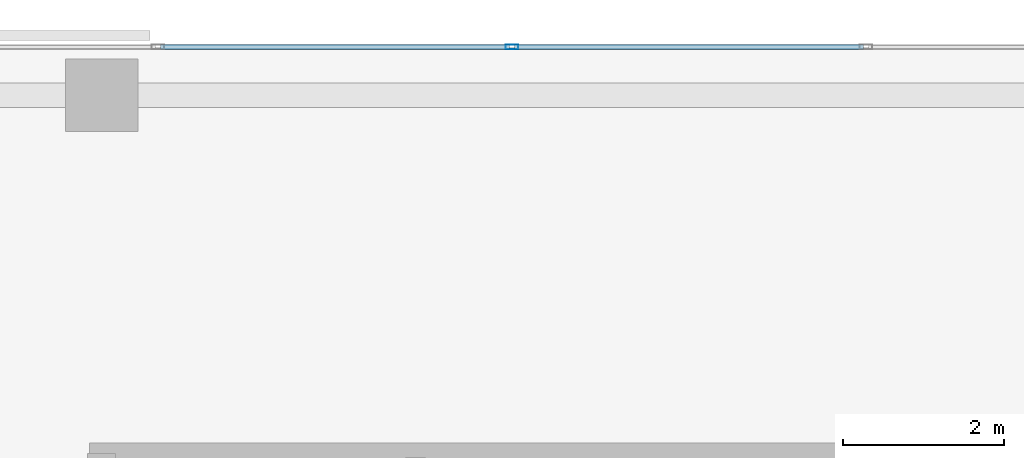
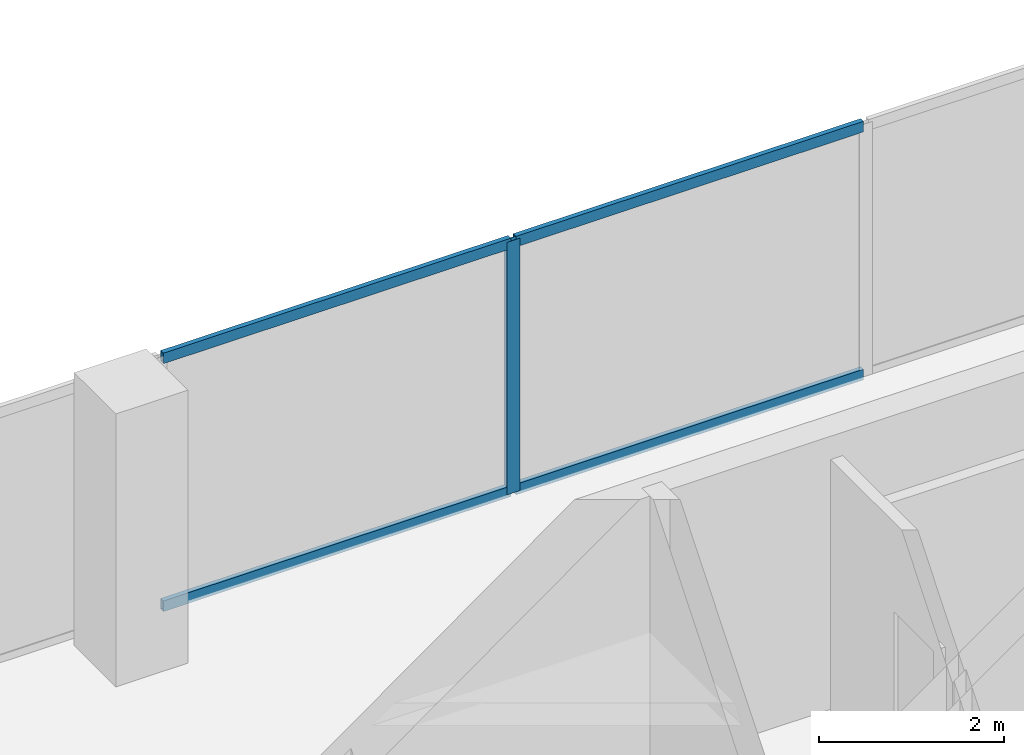
# One storey, part 20 of 34: 5 members, 1 element without a shape of its own.
"""IFC4 building model written with IfcOpenShell, lengths in metres."""

from ifc_helpers import new_model, si_unit, direction, frame, origin, origin_2d, place, context, subcontext, project, spatial, hollow_rectangle, extrude, material, layer, layer_set, material_profile, profile_set, type_object, element, aggregate, save


model = new_model("IFC4")

# Units and contexts
model_context = context("Model", 3, precision=1e-05, world=origin(), true_north=direction((0.0, 1.0)))
body_context = subcontext(model_context, "Body", "Model", "MODEL_VIEW")
ifc_project = project(units=[si_unit("LENGTHUNIT", "METRE"), si_unit("AREAUNIT", "SQUARE_METRE"), si_unit("VOLUMEUNIT", "CUBIC_METRE"), si_unit("PLANEANGLEUNIT", "RADIAN"), si_unit("MASSUNIT", "GRAM", prefix="KILO")], contexts=[model_context])

# Site, building, storey
site_placement = place(None, origin())
site = spatial("IfcSite", under=ifc_project, at=site_placement, CompositionType="ELEMENT")
building_placement = place(site_placement, origin())
building = spatial("IfcBuilding", under=site, at=building_placement, Name="Catumbela Crestline Tower", CompositionType="ELEMENT")
storey_placement = place(building_placement, frame((0.0, 0.0, 111.6)))
storey = spatial("IfcBuildingStorey", under=building, at=storey_placement, Name="L28", CompositionType="ELEMENT", Elevation=111.6)

# Curtain wall, members
ifc_material = material(Name="Aluminium alloy AW-6060-T66", Category="aluminium")
ifc_layer = layer(ifc_material, 0.18, Name="Aluminium alloy AW-6060-T66")
ifc_layer_set = layer_set([ifc_layer], Name="Aluminium alloy AW-6060-T66")
curtain_wall_type = type_object("IfcCurtainWallType", Name="CWU-Z2", PredefinedType="USERDEFINED", material=ifc_layer_set)
curtain_wall_placement = place(storey_placement, origin())
curtain_wall = element("IfcCurtainWall", 1, at=curtain_wall_placement, inside=storey, type_object=curtain_wall_type, Name="L28 Unitised Curtain Wall CW-L28-E7S1", ObjectType="UNITISED", PredefinedType="USERDEFINED")
ifc_material_profile_1 = material_profile(ifc_material, hollow_rectangle(XDim=0.06, YDim=0.16, WallThickness=0.004, at=origin_2d()), Name="ALU 160x60x4")
ifc_profile_set_1 = profile_set([ifc_material_profile_1], Name="Aluminium alloy AW-6060-T66")
member_type_1 = type_object("IfcMemberType", Name="MUL-160X60", PredefinedType="MULLION", material=ifc_profile_set_1)
member_1_placement = place(storey_placement, frame((21.1, 48.0, 0.0), z_axis=(0.0, 0.0, 1.0), x_axis=(0.0, -1.0, 0.0)))
member_1 = element("IfcMember", 2, at=member_1_placement, type_object=member_type_1, Name="CWU-Z2 mullion 7", PredefinedType="MULLION", context=body_context, shape_type="SweptSolid", body=[
    extrude(hollow_rectangle(XDim=0.06, YDim=0.16, WallThickness=0.004, at=origin_2d()), origin(), (0.0, 0.0, 1.0), 3.33),
])
ifc_material_profile_2 = material_profile(ifc_material, hollow_rectangle(XDim=0.06, YDim=0.14, WallThickness=0.004, at=origin_2d()), Name="ALU 140x60x4")
ifc_profile_set_2 = profile_set([ifc_material_profile_2], Name="Aluminium alloy AW-6060-T66")
member_type_2 = type_object("IfcMemberType", Name="TRN-140X60", PredefinedType="USERDEFINED", material=ifc_profile_set_2)
member_2_placement = place(storey_placement, frame((25.4675, 48.0, 0.03), z_axis=(-1.0, 0.0, 0.0), x_axis=(0.0, -1.0, 0.0)))
member_2 = element("IfcMember", 3, at=member_2_placement, type_object=member_type_2, Name="CWU-Z2 transom 6.1", ObjectType="TRANSOM", PredefinedType="USERDEFINED", context=body_context, shape_type="SweptSolid", body=[
    extrude(hollow_rectangle(XDim=0.06, YDim=0.14, WallThickness=0.004, at=origin_2d()), origin(), (0.0, 0.0, 1.0), 4.335),
])
member_3_placement = place(storey_placement, frame((25.4675, 48.0, 3.3), z_axis=(-1.0, 0.0, 0.0), x_axis=(0.0, -1.0, 0.0)))
member_3 = element("IfcMember", 4, at=member_3_placement, type_object=member_type_2, Name="CWU-Z2 transom 6.2", ObjectType="TRANSOM", PredefinedType="USERDEFINED", context=body_context, shape_type="SweptSolid", body=[
    extrude(hollow_rectangle(XDim=0.06, YDim=0.14, WallThickness=0.004, at=origin_2d()), origin(), (0.0, 0.0, 1.0), 4.335),
])
member_4_placement = place(storey_placement, frame((21.0675, 48.0, 0.03), z_axis=(-1.0, 0.0, 0.0), x_axis=(0.0, -1.0, 0.0)))
member_4 = element("IfcMember", 5, at=member_4_placement, type_object=member_type_2, Name="CWU-Z2 transom 7.1", ObjectType="TRANSOM", PredefinedType="USERDEFINED", context=body_context, shape_type="SweptSolid", body=[
    extrude(hollow_rectangle(XDim=0.06, YDim=0.14, WallThickness=0.004, at=origin_2d()), origin(), (0.0, 0.0, 1.0), 4.335),
])
member_5_placement = place(storey_placement, frame((21.0675, 48.0, 3.3), z_axis=(-1.0, 0.0, 0.0), x_axis=(0.0, -1.0, 0.0)))
member_5 = element("IfcMember", 6, at=member_5_placement, type_object=member_type_2, Name="CWU-Z2 transom 7.2", ObjectType="TRANSOM", PredefinedType="USERDEFINED", context=body_context, shape_type="SweptSolid", body=[
    extrude(hollow_rectangle(XDim=0.06, YDim=0.14, WallThickness=0.004, at=origin_2d()), origin(), (0.0, 0.0, 1.0), 4.335),
])
aggregate(curtain_wall, [member_1, member_2, member_3, member_4, member_5])

save(model, "model.ifc")
